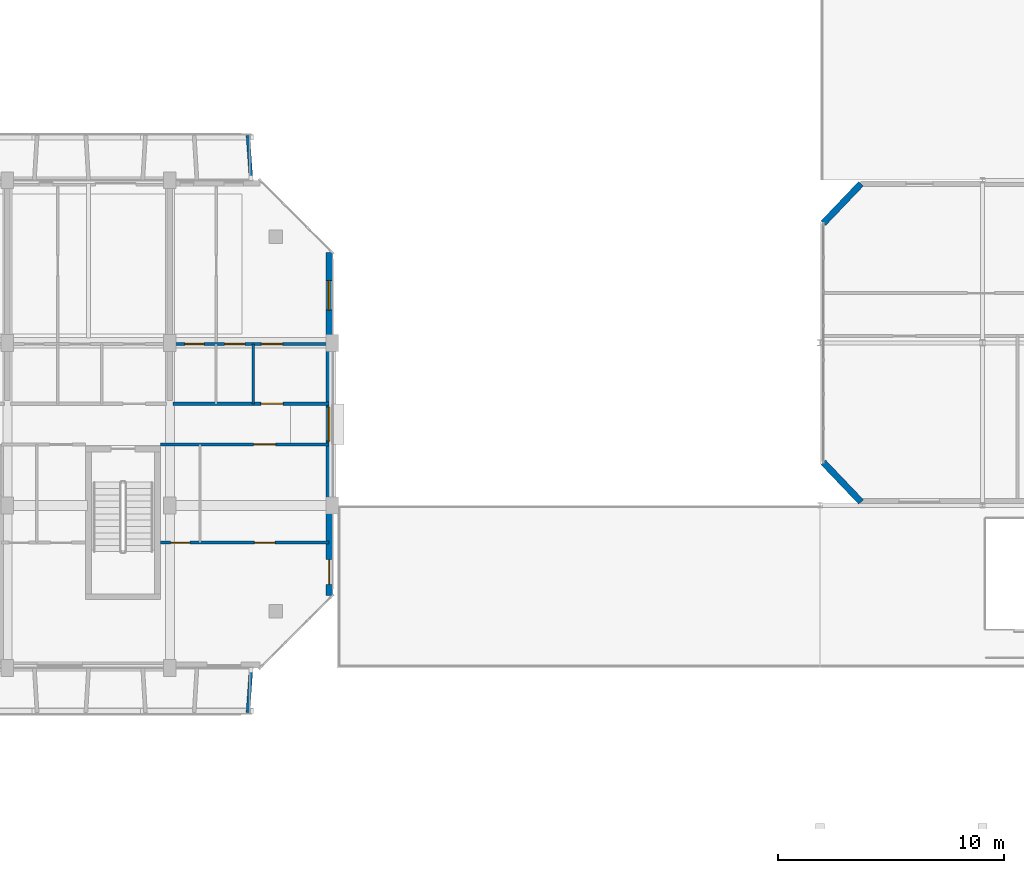
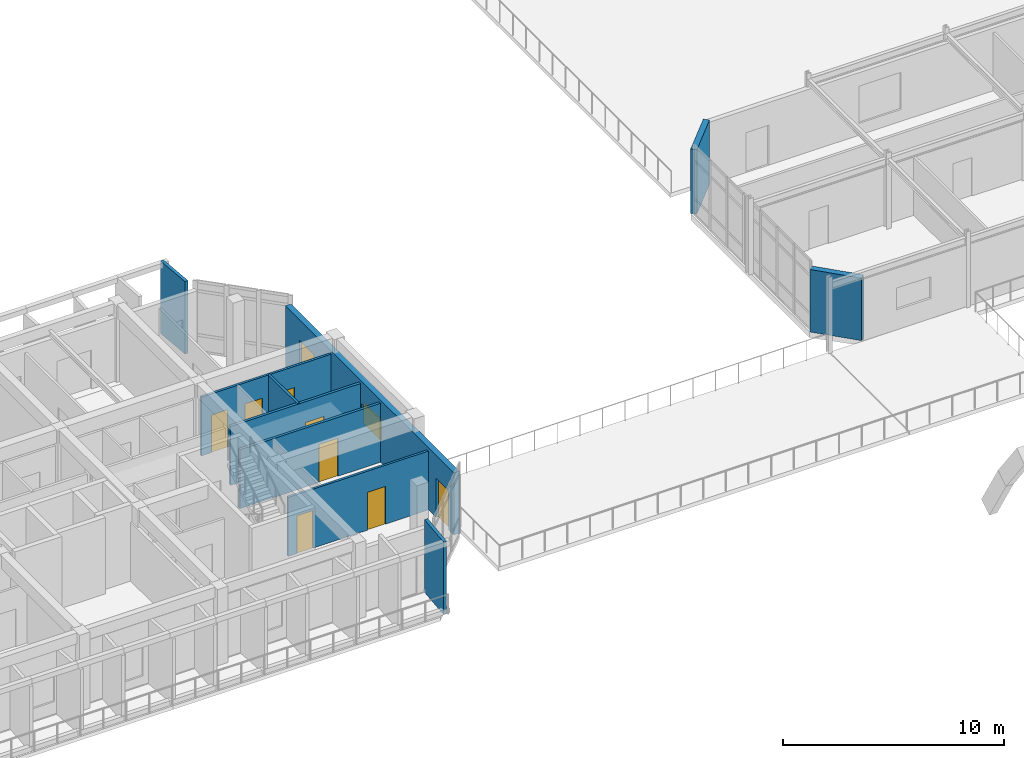
# One storey, part 54 of 85: 10 walls, 8 doors, 2 windows, 10 openings.
"""IFC4 building model written with IfcOpenShell, lengths in metres."""

from ifc_helpers import new_model, si_unit, direction, frame, frame_2d, origin, place, context, subcontext, project, spatial, rectangle, extrude, material, layer, layer_set, type_object, element, fill, save


model = new_model("IFC4")

# Units and contexts
model_context = context("Model", 3, precision=1e-05, world=origin(), true_north=direction((0.0, 1.0)))
body_context = subcontext(model_context, "Body", "Model", "MODEL_VIEW")
ifc_project = project(units=[si_unit("LENGTHUNIT", "METRE"), si_unit("AREAUNIT", "SQUARE_METRE"), si_unit("VOLUMEUNIT", "CUBIC_METRE"), si_unit("PLANEANGLEUNIT", "RADIAN"), si_unit("MASSUNIT", "GRAM", prefix="KILO")], contexts=[model_context])

# Site, building, storey
site_placement = place(None, origin())
site = spatial("IfcSite", under=ifc_project, at=site_placement, CompositionType="ELEMENT")
building_placement = place(site_placement, origin())
building = spatial("IfcBuilding", under=site, at=building_placement, Name="Ochrevale Crest", CompositionType="ELEMENT")
storey_placement = place(building_placement, frame((0.0, 0.0, 4.5)))
storey = spatial("IfcBuildingStorey", under=building, at=storey_placement, Name="L01", CompositionType="ELEMENT", Elevation=4.5)

# Wall, opening, door
ifc_material_1 = material(Name="Gypsum plasterboard", Category="gypsum")
ifc_layer_1 = layer(ifc_material_1, 0.139892578125)
ifc_layer_set_1 = layer_set([ifc_layer_1], Name="Gypsum plasterboard")
wall_type_1 = type_object("IfcWallType", Name="WL-COR-140", PredefinedType="PARTITIONING", material=ifc_layer_set_1)
wall_1_placement = place(storey_placement, frame((28.93994140625, 83.699951171875, 0.0), z_axis=(0.0, 0.0, 1.0), x_axis=(1.0, 0.0, 0.0)))
wall_1 = element("IfcWall", 1, at=wall_1_placement, inside=storey, type_object=wall_type_1, Name="Apartment B-L01-U5 corridor wall", PredefinedType="PARTITIONING", context=body_context, shape_type="SweptSolid", body=[
    extrude(rectangle(XDim=6.920166015625, YDim=0.139892578125, at=frame_2d((3.4599609375, 0.0))), origin(), (0.0, 0.0, 1.0), 3.25),
])
opening_1_placement = place(wall_1_placement, frame((4.875, 0.0, 0.0), z_axis=(0.0, 0.0, 1.0), x_axis=(-1.0, 0.0, 0.0)))
opening_1 = element("IfcOpeningElement", 2, at=opening_1_placement, cuts=wall_1, Name="Opening FD01", PredefinedType="OPENING", context=body_context, shape_type="SweptSolid", body=[
    extrude(rectangle(XDim=0.97998046875, YDim=2.10009765625, at=frame_2d((0.489990234375, 1.050048828125))), frame((0.0, 0.080078125, 0.0), z_axis=(0.0, -1.0, 0.0), x_axis=(1.0, 0.0, 0.0)), (0.0, 0.0, 1.0), 0.159912109375),
])
ifc_material_2 = material(Name="Solid-core FSC hardwood", Category="wood")
door_type_1 = type_object("IfcDoorType", Name="DR-APT-950", OperationType="NOTDEFINED", PredefinedType="DOOR", material=ifc_material_2)
door_1_placement = place(opening_1_placement, origin())
door_1 = element("IfcDoor", 3, at=door_1_placement, inside=storey, type_object=door_type_1, Name="Apartment B-L01-U5 entrance door", OperationType="SINGLE_SWING_RIGHT", OverallHeight=2.10009765625, OverallWidth=0.97998046875, PredefinedType="DOOR", context=body_context, shape_type="SweptSolid", body=[
    extrude(rectangle(XDim=0.97998046875, YDim=2.10009765625, at=frame_2d((0.489990234375, 1.050048828125))), frame((0.0, 0.02490234375, 0.0), z_axis=(0.0, -1.0, 0.0), x_axis=(1.0, 0.0, 0.0)), (0.0, 0.0, 1.0), 0.050048828125),
])
fill(opening_1, door_1)

wall_2_placement = place(storey_placement, frame((28.389892578125, 81.89990234375, 0.0), z_axis=(0.0, 0.0, 1.0), x_axis=(1.0, 0.0, 0.0)))
wall_2 = element("IfcWall", 4, at=wall_2_placement, inside=storey, type_object=wall_type_1, Name="Suite B-L01-CE corridor wall", PredefinedType="PARTITIONING", context=body_context, shape_type="SweptSolid", body=[
    extrude(rectangle(XDim=7.47021484375, YDim=0.139892578125, at=frame_2d((3.735107421875, 0.0))), origin(), (0.0, 0.0, 1.0), 3.25),
])
opening_2_placement = place(wall_2_placement, frame((5.10009765625, 0.0, 0.0), z_axis=(0.0, 0.0, 1.0), x_axis=(-1.0, 0.0, 0.0)))
opening_2 = element("IfcOpeningElement", 5, at=opening_2_placement, cuts=wall_2, Name="Opening FD01", PredefinedType="OPENING", context=body_context, shape_type="SweptSolid", body=[
    extrude(rectangle(XDim=0.97998046875, YDim=2.10009765625, at=frame_2d((0.489990234375, 1.050048828125))), frame((0.0, 0.080078125, 0.0), z_axis=(0.0, -1.0, 0.0), x_axis=(1.0, 0.0, 0.0)), (0.0, 0.0, 1.0), 0.159912109375),
])
door_2_placement = place(opening_2_placement, origin())
door_2 = element("IfcDoor", 6, at=door_2_placement, inside=storey, type_object=door_type_1, Name="Suite B-L01-CE entrance door", OperationType="SINGLE_SWING_RIGHT", OverallHeight=2.10009765625, OverallWidth=0.97998046875, PredefinedType="DOOR", context=body_context, shape_type="SweptSolid", body=[
    extrude(rectangle(XDim=0.97998046875, YDim=2.10009765625, at=frame_2d((0.489990234375, 1.050048828125))), frame((0.0, 0.02490234375, 0.0), z_axis=(0.0, -1.0, 0.0), x_axis=(1.0, 0.0, 0.0)), (0.0, 0.0, 1.0), 0.050048828125),
])
fill(opening_2, door_2)

# Wall, openings, door, windows
ifc_material_3 = material(Name="Clay face brickwork", Category="masonry")
ifc_layer_2 = layer(ifc_material_3, 0.2900390625)
ifc_layer_set_2 = layer_set([ifc_layer_2], Name="Clay face brickwork")
wall_type_2 = type_object("IfcWallType", Name="WL-EXT-BRICK-290", PredefinedType="SOLIDWALL", material=ifc_layer_set_2)
wall_3_placement = place(storey_placement, frame((35.85498046875, 75.199951171875, 0.0), z_axis=(0.0, 0.0, 1.0), x_axis=(0.0, 1.0, 0.0)))
wall_3 = element("IfcWall", 7, at=wall_3_placement, inside=storey, type_object=wall_type_2, Name="Block B L01 external facade wall E3", PredefinedType="SOLIDWALL", context=body_context, shape_type="SweptSolid", body=[
    extrude(rectangle(XDim=15.199951171875, YDim=0.2900390625, at=frame_2d((7.60009765625, 0.0))), origin(), (0.0, 0.0, 1.0), 3.429931640625),
])
opening_3_placement = place(wall_3_placement, frame((1.60009765625, 0.0, 0.0), z_axis=(0.0, 0.0, 1.0), x_axis=(-1.0, 0.0, 0.0)))
opening_3 = element("IfcOpeningElement", 8, at=opening_3_placement, cuts=wall_3, Name="Opening ED06", PredefinedType="OPENING", context=body_context, shape_type="SweptSolid", body=[
    extrude(rectangle(XDim=1.10009765625, YDim=2.14990234375, at=frame_2d((0.550048828125, 1.074951171875))), frame((0.0, 0.155029296875, 0.0), z_axis=(0.0, -1.0, 0.0), x_axis=(1.0, 0.0, 0.0)), (0.0, 0.0, 1.0), 0.31005859375),
])
opening_4_placement = place(wall_3_placement, frame((6.85009765625, 0.0, 1.050048828125)))
opening_4 = element("IfcOpeningElement", 9, at=opening_4_placement, cuts=wall_3, Name="Opening W18", PredefinedType="OPENING", context=body_context, shape_type="SweptSolid", body=[
    extrude(rectangle(XDim=1.5, YDim=1.14990234375, at=frame_2d((0.75, 0.574951171875))), frame((0.0, 0.155029296875, 0.0), z_axis=(0.0, -1.0, 0.0), x_axis=(1.0, 0.0, 0.0)), (0.0, 0.0, 1.0), 0.31005859375),
])
opening_5_placement = place(wall_3_placement, frame((12.652587890625, 0.0, 0.75)))
opening_5 = element("IfcOpeningElement", 10, at=opening_5_placement, cuts=wall_3, Name="Opening W30", PredefinedType="OPENING", context=body_context, shape_type="SweptSolid", body=[
    extrude(rectangle(XDim=1.300048828125, YDim=1.550048828125, at=frame_2d((0.64990234375, 0.77490234375))), frame((0.0, 0.155029296875, 0.0), z_axis=(0.0, -1.0, 0.0), x_axis=(1.0, 0.0, 0.0)), (0.0, 0.0, 1.0), 0.31005859375),
])
ifc_material_4 = material(Name="Anodised aluminium 6063-T5 and toughened glass", Category="aluminium")
door_type_2 = type_object("IfcDoorType", Name="DR-EXT-1100", OperationType="NOTDEFINED", PredefinedType="DOOR", material=ifc_material_4)
door_3_placement = place(opening_3_placement, origin())
door_3 = element("IfcDoor", 11, at=door_3_placement, inside=storey, type_object=door_type_2, Name="Block B L01 hillside promenade terrace door", OperationType="SINGLE_SWING_LEFT", OverallHeight=2.14990234375, OverallWidth=1.10009765625, PredefinedType="DOOR", context=body_context, shape_type="SweptSolid", body=[
    extrude(rectangle(XDim=1.10009765625, YDim=2.14990234375, at=frame_2d((0.550048828125, 1.074951171875))), frame((0.0, 0.02490234375, 0.0), z_axis=(0.0, -1.0, 0.0), x_axis=(1.0, 0.0, 0.0)), (0.0, 0.0, 1.0), 0.050048828125),
])
fill(opening_3, door_3)
ifc_material_5 = material(Name="Anodised aluminium 6063-T5 and low-E double glazing", Category="aluminium")
window_type_1 = type_object("IfcWindowType", Name="WIN-W18", PartitioningType="SINGLE_PANEL", PredefinedType="WINDOW", material=ifc_material_5)
window_1_placement = place(opening_4_placement, origin())
window_1 = element("IfcWindow", 12, at=window_1_placement, inside=storey, type_object=window_type_1, Name="Block B L01 corridor end daylight window E", OverallHeight=1.14990234375, OverallWidth=1.5, PartitioningType="SINGLE_PANEL", PredefinedType="WINDOW", context=body_context, shape_type="SweptSolid", body=[
    extrude(rectangle(XDim=1.5, YDim=1.14990234375, at=frame_2d((0.75, 0.574951171875))), frame((0.0, 0.030029296875, 0.0), z_axis=(0.0, -1.0, 0.0), x_axis=(1.0, 0.0, 0.0)), (0.0, 0.0, 1.0), 0.06005859375),
])
fill(opening_4, window_1)
window_type_2 = type_object("IfcWindowType", Name="WIN-W30", PartitioningType="SINGLE_PANEL", PredefinedType="WINDOW", material=ifc_material_5)
window_2_placement = place(opening_5_placement, origin())
window_2 = element("IfcWindow", 13, at=window_2_placement, inside=storey, type_object=window_type_2, Name="Block B L01 side suite window E", OverallHeight=1.550048828125, OverallWidth=1.300048828125, PartitioningType="SINGLE_PANEL", PredefinedType="WINDOW", context=body_context, shape_type="SweptSolid", body=[
    extrude(rectangle(XDim=1.300048828125, YDim=1.550048828125, at=frame_2d((0.64990234375, 0.77490234375))), frame((0.0, 0.030029296875, 0.0), z_axis=(0.0, -1.0, 0.0), x_axis=(1.0, 0.0, 0.0)), (0.0, 0.0, 1.0), 0.06005859375),
])
fill(opening_5, window_2)

# Walls
wall_4_placement = place(storey_placement, frame((59.419921875, 79.35009765625, 0.0), z_axis=(0.0, 0.0, 1.0), x_axis=(-0.690360514167, 0.723465521279, 0.0)))
element("IfcWall", 14, at=wall_4_placement, inside=storey, type_object=wall_type_2, Name="Nursery Pavilion SW chamfer brick pier", PredefinedType="SOLIDWALL", context=body_context, shape_type="SweptSolid", body=[
    extrude(rectangle(XDim=2.4189453125, YDim=0.2900390625, at=frame_2d((1.20947265625, 0.0))), origin(), (0.0, 0.0, 1.0), 3.448486328125),
])
wall_5_placement = place(storey_placement, frame((57.75, 91.699951171875, 0.0), z_axis=(0.0, 0.0, 1.0), x_axis=(0.690360514167, 0.723465521279, 0.0)))
element("IfcWall", 15, at=wall_5_placement, inside=storey, type_object=wall_type_2, Name="Nursery Pavilion NW chamfer brick pier", PredefinedType="SOLIDWALL", context=body_context, shape_type="SweptSolid", body=[
    extrude(rectangle(XDim=2.4189453125, YDim=0.2900390625, at=frame_2d((1.20947265625, 0.0))), origin(), (0.0, 0.0, 1.0), 3.550048828125),
])
ifc_material_6 = material(Name="Precast concrete C40/50", Category="concrete")
ifc_layer_3 = layer(ifc_material_6, 0.1650390625)
ifc_layer_set_3 = layer_set([ifc_layer_3], Name="Precast concrete C40/50")
wall_type_3 = type_object("IfcWallType", Name="WL-HC-CHEEK-165", PredefinedType="ELEMENTEDWALL", material=ifc_layer_set_3)
for number, where, z_axis, x_axis, name in (
    (16, (32.39990234375, 71.97998046875, 0.0), (0.0, 0.0, 1.0), (-0.071194071069, -0.997462482625, 0.0), "Block B L01 S precast honeycomb cheek 13"),
    (17, (32.39990234375, 93.6201171875, 0.0), (0.0, 0.0, 1.0), (-0.071194071069, 0.997462482625, 0.0), "Block B L01 N precast honeycomb cheek 13"),
):
    element("IfcWall", number, at=place(storey_placement, frame(where, z_axis=z_axis, x_axis=x_axis)), inside=storey, type_object=wall_type_3, Name=name, PredefinedType="ELEMENTEDWALL", context=body_context, shape_type="SweptSolid", body=[
        extrude(rectangle(XDim=1.96484375, YDim=0.1650390625, at=frame_2d((0.982421875, 0.0))), origin(), (0.0, 0.0, 1.0), 4.0),
    ])
ifc_layer_4 = layer(ifc_material_1, 0.1201171875)
ifc_layer_set_4 = layer_set([ifc_layer_4], Name="Gypsum plasterboard")
wall_type_4 = type_object("IfcWallType", Name="WL-PART-120", PredefinedType="PARTITIONING", material=ifc_layer_set_4)
wall_6_placement = place(storey_placement, frame((32.5, 83.699951171875, 0.0), z_axis=(0.0, 0.0, 1.0), x_axis=(0.0, 1.0, 0.0)))
element("IfcWall", 18, at=wall_6_placement, inside=storey, type_object=wall_type_4, Name="Apartment B-L01-U5 kitchen-foyer wall", PredefinedType="PARTITIONING", context=body_context, shape_type="SweptSolid", body=[
    extrude(rectangle(XDim=2.650146484375, YDim=0.1201171875, at=frame_2d((1.3251953125, 0.0))), origin(), (0.0, 0.0, 1.0), 3.25),
])

# Wall, openings, doors
wall_7_placement = place(storey_placement, frame((28.93994140625, 86.35009765625, 0.0), z_axis=(0.0, 0.0, 1.0), x_axis=(1.0, 0.0, 0.0)))
wall_7 = element("IfcWall", 19, at=wall_7_placement, inside=storey, type_object=wall_type_4, Name="Apartment B-L01-U5 central partition", PredefinedType="PARTITIONING", context=body_context, shape_type="SweptSolid", body=[
    extrude(rectangle(XDim=6.920166015625, YDim=0.1201171875, at=frame_2d((3.4599609375, 0.0))), origin(), (0.0, 0.0, 1.0), 3.25),
])
opening_6_placement = place(wall_7_placement, frame((0.530029296875, 0.0, 0.0)))
opening_6 = element("IfcOpeningElement", 20, at=opening_6_placement, cuts=wall_7, Name="Opening ID01", PredefinedType="OPENING", context=body_context, shape_type="SweptSolid", body=[
    extrude(rectangle(XDim=0.85009765625, YDim=2.080078125, at=frame_2d((0.425048828125, 1.0400390625))), frame((0.0, 0.070068359375, 0.0), z_axis=(0.0, -1.0, 0.0), x_axis=(1.0, 0.0, 0.0)), (0.0, 0.0, 1.0), 0.14013671875),
])
opening_7_placement = place(wall_7_placement, frame((3.184814453125, 0.0, 0.0), z_axis=(0.0, 0.0, 1.0), x_axis=(-1.0, 0.0, 0.0)))
opening_7 = element("IfcOpeningElement", 21, at=opening_7_placement, cuts=wall_7, Name="Opening ID02", PredefinedType="OPENING", context=body_context, shape_type="SweptSolid", body=[
    extrude(rectangle(XDim=0.89990234375, YDim=2.080078125, at=frame_2d((0.449951171875, 1.0400390625))), frame((0.0, 0.070068359375, 0.0), z_axis=(0.0, -1.0, 0.0), x_axis=(1.0, 0.0, 0.0)), (0.0, 0.0, 1.0), 0.14013671875),
])
opening_8_placement = place(wall_7_placement, frame((3.909912109375, 0.0, 0.0)))
opening_8 = element("IfcOpeningElement", 22, at=opening_8_placement, cuts=wall_7, Name="Opening ID06", PredefinedType="OPENING", context=body_context, shape_type="SweptSolid", body=[
    extrude(rectangle(XDim=0.949951171875, YDim=2.080078125, at=frame_2d((0.47509765625, 1.0400390625))), frame((0.0, 0.070068359375, 0.0), z_axis=(0.0, -1.0, 0.0), x_axis=(1.0, 0.0, 0.0)), (0.0, 0.0, 1.0), 0.14013671875),
])
door_type_3 = type_object("IfcDoorType", Name="DR-INT-900", OperationType="NOTDEFINED", PredefinedType="DOOR", material=ifc_material_2)
door_4_placement = place(opening_7_placement, origin())
door_4 = element("IfcDoor", 23, at=door_4_placement, inside=storey, type_object=door_type_3, Name="Apartment B-L01-U5 Kitchen door", OperationType="SINGLE_SWING_RIGHT", OverallHeight=2.080078125, OverallWidth=0.89990234375, PredefinedType="DOOR", context=body_context, shape_type="SweptSolid", body=[
    extrude(rectangle(XDim=0.89990234375, YDim=2.080078125, at=frame_2d((0.449951171875, 1.0400390625))), frame((0.0, 0.02490234375, 0.0), z_axis=(0.0, -1.0, 0.0), x_axis=(1.0, 0.0, 0.0)), (0.0, 0.0, 1.0), 0.050048828125),
])
fill(opening_7, door_4)
door_type_4 = type_object("IfcDoorType", Name="DR-INT-950", OperationType="NOTDEFINED", PredefinedType="DOOR", material=ifc_material_2)
door_5_placement = place(opening_8_placement, origin())
door_5 = element("IfcDoor", 24, at=door_5_placement, inside=storey, type_object=door_type_4, Name="Apartment B-L01-U5 Living Foyer door", OperationType="SINGLE_SWING_LEFT", OverallHeight=2.080078125, OverallWidth=0.949951171875, PredefinedType="DOOR", context=body_context, shape_type="SweptSolid", body=[
    extrude(rectangle(XDim=0.949951171875, YDim=2.080078125, at=frame_2d((0.47509765625, 1.0400390625))), frame((0.0, 0.02490234375, 0.0), z_axis=(0.0, -1.0, 0.0), x_axis=(1.0, 0.0, 0.0)), (0.0, 0.0, 1.0), 0.050048828125),
])
fill(opening_8, door_5)
door_type_5 = type_object("IfcDoorType", Name="DR-WC-850", OperationType="NOTDEFINED", PredefinedType="DOOR", material=ifc_material_2)
door_6_placement = place(opening_6_placement, origin())
door_6 = element("IfcDoor", 25, at=door_6_placement, inside=storey, type_object=door_type_5, Name="Apartment B-L01-U5 Bathroom door", OperationType="SINGLE_SWING_LEFT", OverallHeight=2.080078125, OverallWidth=0.85009765625, PredefinedType="DOOR", context=body_context, shape_type="SweptSolid", body=[
    extrude(rectangle(XDim=0.85009765625, YDim=2.080078125, at=frame_2d((0.425048828125, 1.0400390625))), frame((0.0, 0.02490234375, 0.0), z_axis=(0.0, -1.0, 0.0), x_axis=(1.0, 0.0, 0.0)), (0.0, 0.0, 1.0), 0.050048828125),
])
fill(opening_6, door_6)

wall_8_placement = place(storey_placement, frame((28.389892578125, 77.550048828125, 0.0), z_axis=(0.0, 0.0, 1.0), x_axis=(1.0, 0.0, 0.0)))
wall_8 = element("IfcWall", 26, at=wall_8_placement, inside=storey, type_object=wall_type_4, Name="Suite B-L01-CE internal wall", PredefinedType="PARTITIONING", context=body_context, shape_type="SweptSolid", body=[
    extrude(rectangle(XDim=7.47021484375, YDim=0.1201171875, at=frame_2d((3.735107421875, 0.0))), origin(), (0.0, 0.0, 1.0), 3.25),
])
opening_9_placement = place(wall_8_placement, frame((0.449951171875, 0.0, 0.0)))
opening_9 = element("IfcOpeningElement", 27, at=opening_9_placement, cuts=wall_8, Name="Opening ID01", PredefinedType="OPENING", context=body_context, shape_type="SweptSolid", body=[
    extrude(rectangle(XDim=0.85009765625, YDim=2.080078125, at=frame_2d((0.425048828125, 1.0400390625))), frame((0.0, 0.070068359375, 0.0), z_axis=(0.0, -1.0, 0.0), x_axis=(1.0, 0.0, 0.0)), (0.0, 0.0, 1.0), 0.14013671875),
])
opening_10_placement = place(wall_8_placement, frame((5.06982421875, 0.0, 0.0), z_axis=(0.0, 0.0, 1.0), x_axis=(-1.0, 0.0, 0.0)))
opening_10 = element("IfcOpeningElement", 28, at=opening_10_placement, cuts=wall_8, Name="Opening ID04", PredefinedType="OPENING", context=body_context, shape_type="SweptSolid", body=[
    extrude(rectangle(XDim=0.919921875, YDim=2.080078125, at=frame_2d((0.4599609375, 1.0400390625))), frame((0.0, 0.070068359375, 0.0), z_axis=(0.0, -1.0, 0.0), x_axis=(1.0, 0.0, 0.0)), (0.0, 0.0, 1.0), 0.14013671875),
])
door_type_6 = type_object("IfcDoorType", Name="DR-INT-920", OperationType="NOTDEFINED", PredefinedType="DOOR", material=ifc_material_2)
door_7_placement = place(opening_10_placement, origin())
door_7 = element("IfcDoor", 29, at=door_7_placement, inside=storey, type_object=door_type_6, Name="Suite B-L01-CE Master Bedroom door", OperationType="SINGLE_SWING_RIGHT", OverallHeight=2.080078125, OverallWidth=0.919921875, PredefinedType="DOOR", context=body_context, shape_type="SweptSolid", body=[
    extrude(rectangle(XDim=0.919921875, YDim=2.080078125, at=frame_2d((0.4599609375, 1.0400390625))), frame((0.0, 0.02490234375, 0.0), z_axis=(0.0, -1.0, 0.0), x_axis=(1.0, 0.0, 0.0)), (0.0, 0.0, 1.0), 0.050048828125),
])
fill(opening_10, door_7)
door_8_placement = place(opening_9_placement, origin())
door_8 = element("IfcDoor", 30, at=door_8_placement, inside=storey, type_object=door_type_5, Name="Suite B-L01-CE Bathroom door", OperationType="SINGLE_SWING_LEFT", OverallHeight=2.080078125, OverallWidth=0.85009765625, PredefinedType="DOOR", context=body_context, shape_type="SweptSolid", body=[
    extrude(rectangle(XDim=0.85009765625, YDim=2.080078125, at=frame_2d((0.425048828125, 1.0400390625))), frame((0.0, 0.02490234375, 0.0), z_axis=(0.0, -1.0, 0.0), x_axis=(1.0, 0.0, 0.0)), (0.0, 0.0, 1.0), 0.050048828125),
])
fill(opening_9, door_8)

save(model, "model.ifc")
